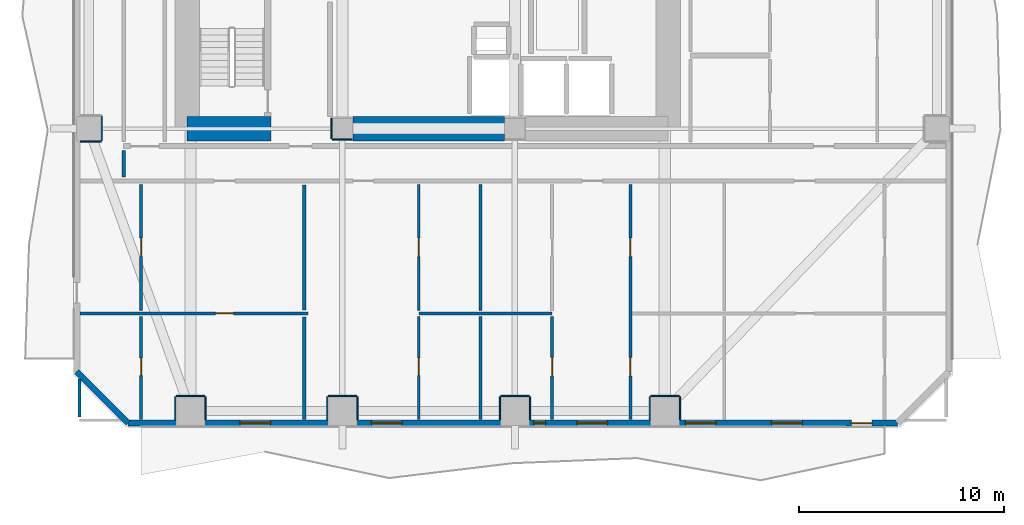
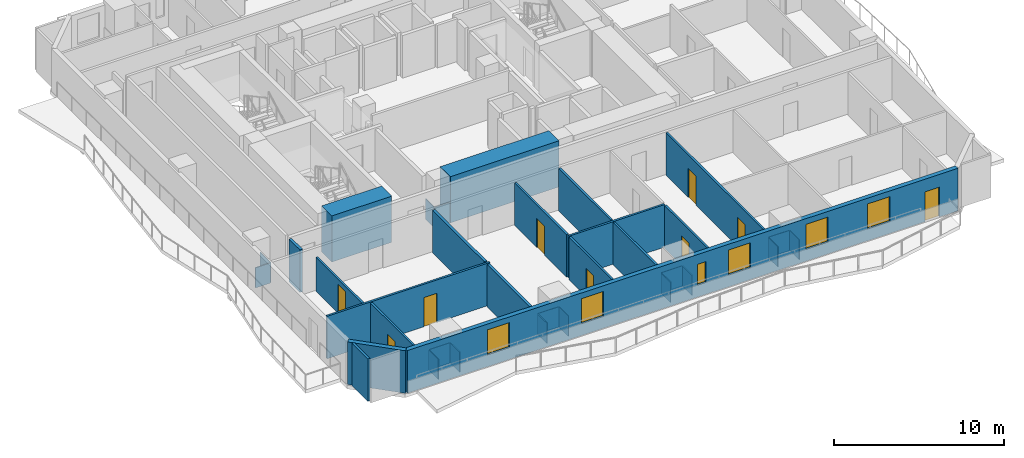
# One storey, part 2 of 10: 34 walls, 9 doors, 6 windows, 15 openings.
"""IFC4 building model written with IfcOpenShell, lengths in metres."""

import ifcopenshell
import ifcopenshell.guid

model = None  # the IFC model being written
_history = None  # IfcOwnerHistory: only IFC2X3 demands one
_inside = {}  # id of a spatial element -> (the spatial element, [elements in it])
_under = {}  # id of a project, library or spatial element -> (it, [spatial elements below it])
_declared = {}  # id of a project -> (the project, [libraries it declares])
_typed = {}  # id of a type object -> (the type object, [elements of that type])
_made_of = {}  # id of a material, layer set ... -> (it, [elements and type objects made of it])


def new_model(schema):
    """Start an empty IFC model of exactly this schema.

    Asked for "IFC4X3", IfcOpenShell would pick the latest addendum, in which some entities
    have other attributes; the version numbers below select the first issue.
    IFC2X3 requires an IfcOwnerHistory on every rooted entity: one is made here for all.
    """
    global model, _history
    if schema == "IFC4X3":
        model = ifcopenshell.file(schema_version=(4, 3, 0, 0))
    else:
        model = ifcopenshell.file(schema=schema)
    _inside.clear()
    _under.clear()
    _declared.clear()
    _typed.clear()
    _made_of.clear()
    _history = None
    if model.schema == "IFC2X3":
        org = make("IfcOrganization", Name="unknown")
        user = make(
            "IfcPersonAndOrganization",
            ThePerson=make("IfcPerson", FamilyName="unknown"),
            TheOrganization=org,
        )
        app = make(
            "IfcApplication",
            ApplicationDeveloper=org,
            Version="unknown",
            ApplicationFullName="unknown",
            ApplicationIdentifier="unknown",
        )
        _history = make(
            "IfcOwnerHistory",
            OwningUser=user,
            OwningApplication=app,
            ChangeAction="ADDED",
            CreationDate=0,
        )
    return model


def make(cls, **values):
    """One entity of the class cls with the attributes given. An attribute that is None is left unset."""
    return model.create_entity(
        cls, **{name: value for name, value in values.items() if value is not None}
    )


def rooted(cls, **values):
    """An entity with a GlobalId (a new one), such as an element, a storey or a relation."""
    return make(cls, GlobalId=ifcopenshell.guid.new(), OwnerHistory=_history, **values)


def si_unit(unit_type, name, prefix=None):
    """IfcSIUnit, for example si_unit("LENGTHUNIT", "METRE", prefix="MILLI")."""
    return make("IfcSIUnit", UnitType=unit_type, Prefix=prefix, Name=name)


def assignment(units):
    """IfcUnitAssignment: the units of a project."""
    return None if units is None else make("IfcUnitAssignment", Units=units)


def point(xyz):
    """IfcCartesianPoint."""
    return None if xyz is None else make("IfcCartesianPoint", Coordinates=xyz)


def direction(xyz):
    """IfcDirection."""
    return None if xyz is None else make("IfcDirection", DirectionRatios=xyz)


def frame(location, z_axis=None, x_axis=None):
    """IfcAxis2Placement3D, a coordinate frame: its origin and axes. An axis left out is left unset."""
    return make(
        "IfcAxis2Placement3D",
        Location=point(location),
        Axis=direction(z_axis),
        RefDirection=direction(x_axis),
    )


def frame_2d(location, x_axis=None):
    """IfcAxis2Placement2D, a coordinate frame in the plane: its origin and x axis."""
    return make(
        "IfcAxis2Placement2D", Location=point(location), RefDirection=direction(x_axis)
    )


def origin():
    """The frame at (0, 0, 0) with its axes left unset."""
    return frame((0.0, 0.0, 0.0))


def place(relative_to, where):
    """IfcLocalPlacement: puts the frame where relative to a parent placement (None: the world)."""
    return make(
        "IfcLocalPlacement", PlacementRelTo=relative_to, RelativePlacement=where
    )


def context(
    kind, dimensions, precision=None, world=None, true_north=None, identifier=None
):
    """IfcGeometricRepresentationContext, for example the 3D "Model" context."""
    return make(
        "IfcGeometricRepresentationContext",
        ContextIdentifier=identifier,
        ContextType=kind,
        CoordinateSpaceDimension=dimensions,
        Precision=precision,
        WorldCoordinateSystem=world,
        TrueNorth=true_north,
    )


def subcontext(parent, identifier, kind, view, scale=None):
    """IfcGeometricRepresentationSubContext, for example "Body" below "Model"."""
    return make(
        "IfcGeometricRepresentationSubContext",
        ContextIdentifier=identifier,
        ContextType=kind,
        ParentContext=parent,
        TargetScale=scale,
        TargetView=view,
    )


def project(units=None, contexts=None):
    """IfcProject with its units and contexts."""
    return rooted(
        "IfcProject",
        Name="project",
        RepresentationContexts=contexts,
        UnitsInContext=assignment(units),
    )


def spatial(cls, under=None, at=None, **own):
    """A site, building, storey or space (cls), placed at a placement, below another one or the project."""
    s = rooted(cls, ObjectPlacement=at, **own)
    if under is not None:
        _under.setdefault(under.id(), (under, []))[1].append(s)
    return s


def profile(cls, at=None, kind="AREA", **sizes):
    """A parametric profile (cls). Its sizes go by their IFC names, for example OverallWidth=200.0."""
    return make(cls, ProfileType=kind, Position=at, **sizes)


def rectangle(**sizes):
    """IfcRectangleProfileDef."""
    return profile("IfcRectangleProfileDef", **sizes)


def extrude(swept, where, along, depth):
    """IfcExtrudedAreaSolid: the profile swept, set in the frame where, extruded along a direction by depth."""
    return make(
        "IfcExtrudedAreaSolid",
        SweptArea=swept,
        Position=where,
        ExtrudedDirection=direction(along),
        Depth=depth,
    )


def shape(context_of_items, identifier, shape_type, items):
    """IfcShapeRepresentation: the items that make up one representation, for example the "Body"."""
    return make(
        "IfcShapeRepresentation",
        ContextOfItems=context_of_items,
        RepresentationIdentifier=identifier,
        RepresentationType=shape_type,
        Items=items,
    )


def material(Name=None, Category=None):
    """IfcMaterial."""
    return make("IfcMaterial", Name=Name, Category=Category)


def layer(
    of_material, thickness, ventilated=None, Name=None, Category=None, Priority=None
):
    """IfcMaterialLayer: one layer of a wall or slab, of a material (None: an air gap)."""
    return make(
        "IfcMaterialLayer",
        Material=of_material,
        LayerThickness=thickness,
        IsVentilated=ventilated,
        Name=Name,
        Category=Category,
        Priority=Priority,
    )


def layer_set(layers, Name=None):
    """IfcMaterialLayerSet."""
    return make("IfcMaterialLayerSet", MaterialLayers=layers, LayerSetName=Name)


def made_of(thing, what):
    """Note that an element or type object is made of a material, layer set ...; save() writes the relation."""
    if what is not None:
        _made_of.setdefault(what.id(), (what, []))[1].append(thing)
    return thing


def type_object(cls, material=None, **own):
    """A type object (cls), such as IfcWallType, which elements share."""
    return made_of(rooted(cls, **own), material)


def element(
    cls,
    number,
    at=None,
    inside=None,
    cuts=None,
    type_object=None,
    material=None,
    context=None,
    identifier="Body",
    shape_type=None,
    held_by="IfcProductDefinitionShape",
    body=None,
    shapes=None,
    **own,
):
    """One element of the class cls, such as IfcWall. Its Tag is "e" and its number.

    at: its placement. inside: the storey or other place that contains it. cuts: it is an
    opening in that element (IfcRelVoidsElement). A single representation is given by context,
    identifier, shape_type and body (its items); several are given by shapes. held_by: the class
    of the entity that holds the representations. save() writes the other relations.
    """
    e = rooted(cls, Tag="e%d" % number, ObjectPlacement=at, **own)
    if body is not None:
        shapes = [shape(context, identifier, shape_type, body)]
    if shapes is not None:
        e.Representation = make(held_by, Representations=shapes)
    if inside is not None:
        _inside.setdefault(inside.id(), (inside, []))[1].append(e)
    if cuts is not None:
        rooted(
            "IfcRelVoidsElement", RelatingBuildingElement=cuts, RelatedOpeningElement=e
        )
    if type_object is not None:
        _typed.setdefault(type_object.id(), (type_object, []))[1].append(e)
    return made_of(e, material)


def fill(opening, filler):
    """IfcRelFillsElement: the door or window that sits in an opening."""
    return rooted(
        "IfcRelFillsElement",
        RelatingOpeningElement=opening,
        RelatedBuildingElement=filler,
    )


def aggregate(whole, parts):
    """IfcRelAggregates: a whole, such as a stair, and the parts it consists of."""
    return rooted("IfcRelAggregates", RelatingObject=whole, RelatedObjects=parts)


def save(model, path):
    """Write the relations noted so far, then the file.

    IfcRelAggregates (storeys below a building ...), IfcRelContainedInSpatialStructure (elements
    in a storey), IfcRelDefinesByType, IfcRelAssociatesMaterial and IfcRelDeclares: one each for
    every whole, place, type object, material and project.
    """
    for whole, parts in _under.values():
        aggregate(whole, parts)
    for where, things in _inside.values():
        rooted(
            "IfcRelContainedInSpatialStructure",
            RelatedElements=things,
            RelatingStructure=where,
        )
    for kind, things in _typed.values():
        rooted("IfcRelDefinesByType", RelatedObjects=things, RelatingType=kind)
    for what, things in _made_of.values():
        rooted("IfcRelAssociatesMaterial", RelatedObjects=things, RelatingMaterial=what)
    for by, libraries in _declared.values():
        rooted("IfcRelDeclares", RelatingContext=by, RelatedDefinitions=libraries)
    model.write(path)


model = new_model("IFC4")

# Units and contexts
model_context = context("Model", 3, precision=1e-05, world=origin(), true_north=direction((0.0, 1.0)))
body_context = subcontext(model_context, "Body", "Model", "MODEL_VIEW")
ifc_project = project(units=[si_unit("LENGTHUNIT", "METRE"), si_unit("AREAUNIT", "SQUARE_METRE"), si_unit("VOLUMEUNIT", "CUBIC_METRE"), si_unit("PLANEANGLEUNIT", "RADIAN"), si_unit("MASSUNIT", "GRAM", prefix="KILO")], contexts=[model_context])

# Site, building, storey
site_placement = place(None, origin())
site = spatial("IfcSite", under=ifc_project, at=site_placement, CompositionType="ELEMENT")
building_placement = place(site_placement, origin())
building = spatial("IfcBuilding", under=site, at=building_placement, Name="Solanera Arch Residences", CompositionType="ELEMENT")
storey_placement = place(building_placement, frame((0.0, 0.0, 45.239990234375)))
storey = spatial("IfcBuildingStorey", under=building, at=storey_placement, Name="L12", CompositionType="ELEMENT", Elevation=45.239990234375)

# Walls
ifc_material_1 = material(Name="Fire-Rated Gypsum Stud Partition", Category="gypsum")
ifc_layer_1 = layer(ifc_material_1, 0.06005859375)
ifc_layer_set_1 = layer_set([ifc_layer_1], Name="Fire-Rated Gypsum Stud Partition")
wall_type_1 = type_object("IfcWallType", Name="Column Acoustic Furring Wall 60", PredefinedType="PARTITIONING", material=ifc_layer_set_1)
wall_1_placement = place(storey_placement, frame((20.300048828125, 21.468017578125, 0.0), z_axis=(0.0, 0.0, 1.0), x_axis=(1.0, 0.0, 0.0)))
element("IfcWall", 1, at=wall_1_placement, inside=storey, type_object=wall_type_1, Name="L12 Column Furring 1S", PredefinedType="PARTITIONING", context=body_context, shape_type="SweptSolid", body=[
    extrude(rectangle(XDim=0.989990234375, YDim=0.06005859375, at=frame_2d((0.4951171875, 0.0))), origin(), (0.0, 0.0, 1.0), 1.449951171875),
])
wall_2_placement = place(storey_placement, frame((20.26806640625, 21.5, 0.0), z_axis=(0.0, 0.0, 1.0), x_axis=(0.0, 1.0, 0.0)))
element("IfcWall", 2, at=wall_2_placement, inside=storey, type_object=wall_type_1, Name="L12 Column Furring 1W", PredefinedType="PARTITIONING", context=body_context, shape_type="SweptSolid", body=[
    extrude(rectangle(XDim=1.0, YDim=0.06005859375, at=frame_2d((0.5, 0.0))), origin(), (0.0, 0.0, 1.0), 1.449951171875),
])
wall_3_placement = place(storey_placement, frame((12.699951171875, 8.98193359375, 0.0), z_axis=(0.0, 0.0, 1.0), x_axis=(1.0, 0.0, 0.0)))
element("IfcWall", 3, at=wall_3_placement, inside=storey, type_object=wall_type_1, Name="L12 Column Furring 9N", PredefinedType="PARTITIONING", context=body_context, shape_type="SweptSolid", body=[
    extrude(rectangle(XDim=1.400146484375, YDim=0.06005859375, at=frame_2d((0.7001953125, 0.0))), origin(), (0.0, 0.0, 1.0), 1.449951171875),
])
for number, where, z_axis, x_axis, name in (
    (4, (12.66796875, 7.830078125, 0.0), (0.0, 0.0, 1.0), (0.0, 1.0, 0.0), "L12 Column Furring 9W"),
    (5, (14.132080078125, 7.830078125, 0.0), (0.0, 0.0, 1.0), (0.0, 1.0, 0.0), "L12 Column Furring 9E"),
):
    element("IfcWall", number, at=place(storey_placement, frame(where, z_axis=z_axis, x_axis=x_axis)), inside=storey, type_object=wall_type_1, Name=name, PredefinedType="PARTITIONING", context=body_context, shape_type="SweptSolid", body=[
        extrude(rectangle(XDim=1.119873046875, YDim=0.06005859375, at=frame_2d((0.56005859375, 0.0))), origin(), (0.0, 0.0, 1.0), 1.449951171875),
    ])
wall_4_placement = place(storey_placement, frame((20.10009765625, 8.98193359375, 0.0), z_axis=(0.0, 0.0, 1.0), x_axis=(1.0, 0.0, 0.0)))
element("IfcWall", 6, at=wall_4_placement, inside=storey, type_object=wall_type_1, Name="L12 Column Furring 11N", PredefinedType="PARTITIONING", context=body_context, shape_type="SweptSolid", body=[
    extrude(rectangle(XDim=1.39990234375, YDim=0.06005859375, at=frame_2d((0.699951171875, 0.0))), origin(), (0.0, 0.0, 1.0), 1.449951171875),
])
for number, where, z_axis, x_axis, name in (
    (7, (20.068115234375, 7.830078125, 0.0), (0.0, 0.0, 1.0), (0.0, 1.0, 0.0), "L12 Column Furring 11W"),
    (8, (21.531982421875, 7.830078125, 0.0), (0.0, 0.0, 1.0), (0.0, 1.0, 0.0), "L12 Column Furring 11E"),
):
    element("IfcWall", number, at=place(storey_placement, frame(where, z_axis=z_axis, x_axis=x_axis)), inside=storey, type_object=wall_type_1, Name=name, PredefinedType="PARTITIONING", context=body_context, shape_type="SweptSolid", body=[
        extrude(rectangle(XDim=1.119873046875, YDim=0.06005859375, at=frame_2d((0.56005859375, 0.0))), origin(), (0.0, 0.0, 1.0), 1.449951171875),
    ])
wall_5_placement = place(storey_placement, frame((28.5, 8.98193359375, 0.0), z_axis=(0.0, 0.0, 1.0), x_axis=(1.0, 0.0, 0.0)))
element("IfcWall", 9, at=wall_5_placement, inside=storey, type_object=wall_type_1, Name="L12 Column Furring 13N", PredefinedType="PARTITIONING", context=body_context, shape_type="SweptSolid", body=[
    extrude(rectangle(XDim=1.39990234375, YDim=0.06005859375, at=frame_2d((0.699951171875, 0.0))), origin(), (0.0, 0.0, 1.0), 1.449951171875),
])
for number, where, z_axis, x_axis, name in (
    (10, (28.468017578125, 7.830078125, 0.0), (0.0, 0.0, 1.0), (0.0, 1.0, 0.0), "L12 Column Furring 13W"),
    (11, (29.931884765625, 7.830078125, 0.0), (0.0, 0.0, 1.0), (0.0, 1.0, 0.0), "L12 Column Furring 13E"),
):
    element("IfcWall", number, at=place(storey_placement, frame(where, z_axis=z_axis, x_axis=x_axis)), inside=storey, type_object=wall_type_1, Name=name, PredefinedType="PARTITIONING", context=body_context, shape_type="SweptSolid", body=[
        extrude(rectangle(XDim=1.119873046875, YDim=0.06005859375, at=frame_2d((0.56005859375, 0.0))), origin(), (0.0, 0.0, 1.0), 1.449951171875),
    ])
wall_6_placement = place(storey_placement, frame((35.800048828125, 8.98193359375, 0.0), z_axis=(0.0, 0.0, 1.0), x_axis=(1.0, 0.0, 0.0)))
element("IfcWall", 12, at=wall_6_placement, inside=storey, type_object=wall_type_1, Name="L12 Column Furring 15N", PredefinedType="PARTITIONING", context=body_context, shape_type="SweptSolid", body=[
    extrude(rectangle(XDim=1.39990234375, YDim=0.06005859375, at=frame_2d((0.699951171875, 0.0))), origin(), (0.0, 0.0, 1.0), 1.449951171875),
])
for number, where, z_axis, x_axis, name in (
    (13, (35.76806640625, 7.830078125, 0.0), (0.0, 0.0, 1.0), (0.0, 1.0, 0.0), "L12 Column Furring 15W"),
    (14, (37.23193359375, 7.830078125, 0.0), (0.0, 0.0, 1.0), (0.0, 1.0, 0.0), "L12 Column Furring 15E"),
):
    element("IfcWall", number, at=place(storey_placement, frame(where, z_axis=z_axis, x_axis=x_axis)), inside=storey, type_object=wall_type_1, Name=name, PredefinedType="PARTITIONING", context=body_context, shape_type="SweptSolid", body=[
        extrude(rectangle(XDim=1.119873046875, YDim=0.06005859375, at=frame_2d((0.56005859375, 0.0))), origin(), (0.0, 0.0, 1.0), 1.449951171875),
    ])
wall_7_placement = place(storey_placement, frame((8.030029296875, 21.367919921875, 0.0), z_axis=(0.0, 0.0, 1.0), x_axis=(1.0, 0.0, 0.0)))
element("IfcWall", 15, at=wall_7_placement, inside=storey, type_object=wall_type_1, Name="L12 Column Furring 17S", PredefinedType="PARTITIONING", context=body_context, shape_type="SweptSolid", body=[
    extrude(rectangle(XDim=1.02001953125, YDim=0.06005859375, at=frame_2d((0.510009765625, 0.0))), origin(), (0.0, 0.0, 1.0), 1.449951171875),
])
wall_8_placement = place(storey_placement, frame((9.08203125, 21.39990234375, 0.0), z_axis=(0.0, 0.0, 1.0), x_axis=(0.0, 1.0, 0.0)))
element("IfcWall", 16, at=wall_8_placement, inside=storey, type_object=wall_type_1, Name="L12 Column Furring 17E", PredefinedType="PARTITIONING", context=body_context, shape_type="SweptSolid", body=[
    extrude(rectangle(XDim=1.2001953125, YDim=0.06005859375, at=frame_2d((0.60009765625, 0.0))), origin(), (0.0, 0.0, 1.0), 1.449951171875),
])
ifc_material_2 = material(Name="Concrete C55/67 (f'c = 60 MPa)", Category="concrete")
ifc_layer_2 = layer(ifc_material_2, 1.199951171875)
ifc_layer_set_2 = layer_set([ifc_layer_2], Name="Concrete C55/67 (f'c = 60 MPa)")
wall_type_2 = type_object("IfcWallType", Name="Core Shear Wall CW-1200", PredefinedType="SHEAR", material=ifc_layer_set_2)
wall_9_placement = place(storey_placement, frame((13.239990234375, 22.0, 0.0), z_axis=(0.0, 0.0, 1.0), x_axis=(1.0, 0.0, 0.0)))
element("IfcWall", 17, at=wall_9_placement, inside=storey, type_object=wall_type_2, Name="L12 South-West Core Shear Wall", PredefinedType="SHEAR", context=body_context, shape_type="SweptSolid", body=[
    extrude(rectangle(XDim=4.080078125, YDim=1.199951171875, at=frame_2d((2.0400390625, 0.0))), origin(), (0.0, 0.0, 1.0), 3.320068359375),
])
wall_10_placement = place(storey_placement, frame((21.304931640625, 22.0, 0.0), z_axis=(0.0, 0.0, 1.0), x_axis=(1.0, 0.0, 0.0)))
element("IfcWall", 18, at=wall_10_placement, inside=storey, type_object=wall_type_2, Name="L12 Central South Core Shear Wall", PredefinedType="SHEAR", context=body_context, shape_type="SweptSolid", body=[
    extrude(rectangle(XDim=7.39013671875, YDim=1.199951171875, at=frame_2d((3.695068359375, 0.0))), origin(), (0.0, 0.0, 1.0), 3.320068359375),
])
ifc_material_3 = material(Name="Autoclaved Aerated Concrete Blockwork", Category="masonry")
ifc_layer_3 = layer(ifc_material_3, 0.179931640625)
ifc_layer_set_3 = layer_set([ifc_layer_3], Name="Autoclaved Aerated Concrete Blockwork")
wall_type_3 = type_object("IfcWallType", Name="Corridor Fire Partition 180", PredefinedType="PARTITIONING", material=ifc_layer_set_3)
wall_11_placement = place(storey_placement, frame((10.14990234375, 19.637939453125, 0.0), z_axis=(0.0, 0.0, 1.0), x_axis=(0.0, 1.0, 0.0)))
element("IfcWall", 19, at=wall_11_placement, inside=storey, type_object=wall_type_3, Name="L12 Interior Partition V6 1", PredefinedType="PARTITIONING", context=body_context, shape_type="SweptSolid", body=[
    extrude(rectangle(XDim=1.2939453125, YDim=0.179931640625, at=frame_2d((0.64697265625, 0.0))), origin(), (0.0, 0.0, 1.0), 3.06005859375),
])
wall_12_placement = place(storey_placement, frame((18.949951171875, 7.826904296875, 0.0), z_axis=(0.0, 0.0, 1.0), x_axis=(0.0, 1.0, 0.0)))
element("IfcWall", 20, at=wall_12_placement, inside=storey, type_object=wall_type_3, Name="L12 Interior Partition V8 1", PredefinedType="PARTITIONING", context=body_context, shape_type="SweptSolid", body=[
    extrude(rectangle(XDim=5.005126953125, YDim=0.179931640625, at=frame_2d((2.50244140625, 0.0))), origin(), (0.0, 0.0, 1.0), 3.06005859375),
])
wall_13_placement = place(storey_placement, frame((18.949951171875, 13.16796875, 0.0), z_axis=(0.0, 0.0, 1.0), x_axis=(0.0, 1.0, 0.0)))
element("IfcWall", 21, at=wall_13_placement, inside=storey, type_object=wall_type_3, Name="L12 Interior Partition V8 2", PredefinedType="PARTITIONING", context=body_context, shape_type="SweptSolid", body=[
    extrude(rectangle(XDim=6.093994140625, YDim=0.179931640625, at=frame_2d((3.046875, 0.0))), origin(), (0.0, 0.0, 1.0), 3.06005859375),
])

# Wall, openings, door, windows
ifc_material_4 = material(Name="Precast Concrete C35/45", Category="concrete")
ifc_layer_4 = layer(ifc_material_4, 0.300048828125)
ifc_layer_set_4 = layer_set([ifc_layer_4], Name="Precast Concrete C35/45")
wall_type_4 = type_object("IfcWallType", Name="Exterior Wall Precast Masonry-Frame 300", PredefinedType="STANDARD", material=ifc_layer_set_4)
wall_14_placement = place(storey_placement, frame((47.8349609375, 7.6650390625, 0.0), z_axis=(0.0, 0.0, 1.0), x_axis=(-1.0, 0.0, 0.0)))
wall_14 = element("IfcWall", 22, at=wall_14_placement, inside=storey, type_object=wall_type_4, Name="L12 Tower Exterior Precast Masonry-Frame Wall S", PredefinedType="STANDARD", context=body_context, shape_type="SweptSolid", body=[
    extrude(rectangle(XDim=37.469970703125, YDim=0.300048828125, at=frame_2d((18.73486328125, 0.0))), origin(), (0.0, 0.0, 1.0), 3.06005859375),
])
opening_1_placement = place(wall_14_placement, frame((1.2509765625, 0.0, 0.0)))
opening_1 = element("IfcOpeningElement", 23, at=opening_1_placement, cuts=wall_14, Name="Opening DB-01", PredefinedType="OPENING", context=body_context, shape_type="SweptSolid", body=[
    extrude(rectangle(XDim=1.0, YDim=2.14990234375, at=frame_2d((0.5, 1.074951171875))), frame((0.0, 0.159912109375, 0.0), z_axis=(0.0, -1.0, 0.0), x_axis=(1.0, 0.0, 0.0)), (0.0, 0.0, 1.0), 0.32),
])
opening_2_placement = place(wall_14_placement, frame((30.52490234375, 0.0, 0.85009765625)))
opening_2 = element("IfcOpeningElement", 24, at=opening_2_placement, cuts=wall_14, Name="Opening W-02", PredefinedType="OPENING", context=body_context, shape_type="SweptSolid", body=[
    extrude(rectangle(XDim=1.5, YDim=1.800048828125, at=frame_2d((0.75, 0.89990234375))), frame((0.0, 0.159912109375, 0.0), z_axis=(0.0, -1.0, 0.0), x_axis=(1.0, 0.0, 0.0)), (0.0, 0.0, 1.0), 0.32),
])
opening_3_placement = place(wall_14_placement, frame((24.125, 0.0, 0.85009765625)))
opening_3 = element("IfcOpeningElement", 25, at=opening_3_placement, cuts=wall_14, Name="Opening W-02", PredefinedType="OPENING", context=body_context, shape_type="SweptSolid", body=[
    extrude(rectangle(XDim=1.5, YDim=1.800048828125, at=frame_2d((0.75, 0.89990234375))), frame((0.0, 0.159912109375, 0.0), z_axis=(0.0, -1.0, 0.0), x_axis=(1.0, 0.0, 0.0)), (0.0, 0.0, 1.0), 0.32),
])
opening_4_placement = place(wall_14_placement, frame((14.118896484375, 0.0, 0.85009765625)))
opening_4 = element("IfcOpeningElement", 26, at=opening_4_placement, cuts=wall_14, Name="Opening W-02", PredefinedType="OPENING", context=body_context, shape_type="SweptSolid", body=[
    extrude(rectangle(XDim=1.5, YDim=1.800048828125, at=frame_2d((0.75, 0.89990234375))), frame((0.0, 0.159912109375, 0.0), z_axis=(0.0, -1.0, 0.0), x_axis=(1.0, 0.0, 0.0)), (0.0, 0.0, 1.0), 0.32),
])
opening_5_placement = place(wall_14_placement, frame((17.138916015625, 0.0, 0.85009765625)))
opening_5 = element("IfcOpeningElement", 27, at=opening_5_placement, cuts=wall_14, Name="Opening W-14", PredefinedType="OPENING", context=body_context, shape_type="SweptSolid", body=[
    extrude(rectangle(XDim=0.580078125, YDim=1.5, at=frame_2d((0.2900390625, 0.75))), frame((0.0, 0.159912109375, 0.0), z_axis=(0.0, -1.0, 0.0), x_axis=(1.0, 0.0, 0.0)), (0.0, 0.0, 1.0), 0.32),
])
opening_6_placement = place(wall_14_placement, frame((8.8369140625, 0.0, 0.85009765625)))
opening_6 = element("IfcOpeningElement", 28, at=opening_6_placement, cuts=wall_14, Name="Opening W-02", PredefinedType="OPENING", context=body_context, shape_type="SweptSolid", body=[
    extrude(rectangle(XDim=1.5, YDim=1.800048828125, at=frame_2d((0.75, 0.89990234375))), frame((0.0, 0.159912109375, 0.0), z_axis=(0.0, -1.0, 0.0), x_axis=(1.0, 0.0, 0.0)), (0.0, 0.0, 1.0), 0.32),
])
opening_7_placement = place(wall_14_placement, frame((4.64501953125, 0.0, 0.85009765625)))
opening_7 = element("IfcOpeningElement", 29, at=opening_7_placement, cuts=wall_14, Name="Opening W-02", PredefinedType="OPENING", context=body_context, shape_type="SweptSolid", body=[
    extrude(rectangle(XDim=1.5, YDim=1.800048828125, at=frame_2d((0.75, 0.89990234375))), frame((0.0, 0.159912109375, 0.0), z_axis=(0.0, -1.0, 0.0), x_axis=(1.0, 0.0, 0.0)), (0.0, 0.0, 1.0), 0.32),
])
ifc_material_5 = material(Name="Anodised Aluminium Alloy 6063-T6", Category="aluminium")
door_type_1 = type_object("IfcDoorType", Name="Glazed Balcony Swing Door DB-01", OperationType="NOTDEFINED", PredefinedType="DOOR", material=ifc_material_5)
door_1_placement = place(opening_1_placement, origin())
door_1 = element("IfcDoor", 30, at=door_1_placement, inside=storey, type_object=door_type_1, Name="DR-L12-OUT-01", OperationType="SINGLE_SWING_RIGHT", OverallHeight=2.14990234375, OverallWidth=1.0, PredefinedType="DOOR", context=body_context, shape_type="SweptSolid", body=[
    extrude(rectangle(XDim=1.0, YDim=2.14990234375, at=frame_2d((0.5, 1.074951171875))), frame((0.0, 0.02490234375, 0.0), z_axis=(0.0, -1.0, 0.0), x_axis=(1.0, 0.0, 0.0)), (0.0, 0.0, 1.0), 0.050048828125),
])
fill(opening_1, door_1)
ifc_material_6 = material(Name="Double Glazed Low-E Laminated Glass", Category="glass")
window_type_1 = type_object("IfcWindowType", Name="Punched Window W-02", PartitioningType="DOUBLE_PANEL_VERTICAL", PredefinedType="WINDOW", material=ifc_material_6)
window_1_placement = place(opening_2_placement, origin())
window_1 = element("IfcWindow", 31, at=window_1_placement, inside=storey, type_object=window_type_1, Name="L12 1201-LIV Punched Window", OverallHeight=1.800048828125, OverallWidth=1.5, PartitioningType="SINGLE_PANEL", PredefinedType="WINDOW", context=body_context, shape_type="SweptSolid", body=[
    extrude(rectangle(XDim=1.5, YDim=1.800048828125, at=frame_2d((0.75, 0.89990234375))), frame((0.0, 0.030029296875, 0.0), z_axis=(0.0, -1.0, 0.0), x_axis=(1.0, 0.0, 0.0)), (0.0, 0.0, 1.0), 0.06005859375),
])
fill(opening_2, window_1)
window_2_placement = place(opening_3_placement, origin())
window_2 = element("IfcWindow", 32, at=window_2_placement, inside=storey, type_object=window_type_1, Name="L12 1202-LIV Punched Window", OverallHeight=1.800048828125, OverallWidth=1.5, PartitioningType="SINGLE_PANEL", PredefinedType="WINDOW", context=body_context, shape_type="SweptSolid", body=[
    extrude(rectangle(XDim=1.5, YDim=1.800048828125, at=frame_2d((0.75, 0.89990234375))), frame((0.0, 0.030029296875, 0.0), z_axis=(0.0, -1.0, 0.0), x_axis=(1.0, 0.0, 0.0)), (0.0, 0.0, 1.0), 0.06005859375),
])
fill(opening_3, window_2)
window_3_placement = place(opening_4_placement, origin())
window_3 = element("IfcWindow", 33, at=window_3_placement, inside=storey, type_object=window_type_1, Name="L12 1203-LIV Punched Window", OverallHeight=1.800048828125, OverallWidth=1.5, PartitioningType="SINGLE_PANEL", PredefinedType="WINDOW", context=body_context, shape_type="SweptSolid", body=[
    extrude(rectangle(XDim=1.5, YDim=1.800048828125, at=frame_2d((0.75, 0.89990234375))), frame((0.0, 0.030029296875, 0.0), z_axis=(0.0, -1.0, 0.0), x_axis=(1.0, 0.0, 0.0)), (0.0, 0.0, 1.0), 0.06005859375),
])
fill(opening_4, window_3)
window_4_placement = place(opening_6_placement, origin())
window_4 = element("IfcWindow", 34, at=window_4_placement, inside=storey, type_object=window_type_1, Name="L12 1203-STD Punched Window", OverallHeight=1.800048828125, OverallWidth=1.5, PartitioningType="SINGLE_PANEL", PredefinedType="WINDOW", context=body_context, shape_type="SweptSolid", body=[
    extrude(rectangle(XDim=1.5, YDim=1.800048828125, at=frame_2d((0.75, 0.89990234375))), frame((0.0, 0.030029296875, 0.0), z_axis=(0.0, -1.0, 0.0), x_axis=(1.0, 0.0, 0.0)), (0.0, 0.0, 1.0), 0.06005859375),
])
fill(opening_6, window_4)
window_5_placement = place(opening_7_placement, origin())
window_5 = element("IfcWindow", 35, at=window_5_placement, inside=storey, type_object=window_type_1, Name="L12 1204-LIV Punched Window", OverallHeight=1.800048828125, OverallWidth=1.5, PartitioningType="SINGLE_PANEL", PredefinedType="WINDOW", context=body_context, shape_type="SweptSolid", body=[
    extrude(rectangle(XDim=1.5, YDim=1.800048828125, at=frame_2d((0.75, 0.89990234375))), frame((0.0, 0.030029296875, 0.0), z_axis=(0.0, -1.0, 0.0), x_axis=(1.0, 0.0, 0.0)), (0.0, 0.0, 1.0), 0.06005859375),
])
fill(opening_7, window_5)
ifc_material_7 = material(Name="Double Glazed Low-E Laminated Glass", Category="glass")
window_type_2 = type_object("IfcWindowType", Name="Punched Window W-14", PartitioningType="SINGLE_PANEL", PredefinedType="WINDOW", material=ifc_material_7)
window_6_placement = place(opening_5_placement, origin())
window_6 = element("IfcWindow", 36, at=window_6_placement, inside=storey, type_object=window_type_2, Name="L12 1203-BR1 Punched Window", OverallHeight=1.5, OverallWidth=0.580078125, PartitioningType="SINGLE_PANEL", PredefinedType="WINDOW", context=body_context, shape_type="SweptSolid", body=[
    extrude(rectangle(XDim=0.580078125, YDim=1.5, at=frame_2d((0.2900390625, 0.75))), frame((0.0, 0.030029296875, 0.0), z_axis=(0.0, -1.0, 0.0), x_axis=(1.0, 0.0, 0.0)), (0.0, 0.0, 1.0), 0.06005859375),
])
fill(opening_5, window_6)

# Wall
wall_15_placement = place(storey_placement, frame((10.364990234375, 7.6650390625, 0.0), z_axis=(0.0, 0.0, 1.0), x_axis=(-0.707106781187, 0.707106781187, 0.0)))
element("IfcWall", 37, at=wall_15_placement, inside=storey, type_object=wall_type_4, Name="L12 Tower Exterior Precast Masonry-Frame Wall CH7", PredefinedType="STANDARD", context=body_context, shape_type="SweptSolid", body=[
    extrude(rectangle(XDim=3.53564453125, YDim=0.300048828125, at=frame_2d((1.767822265625, 0.0))), origin(), (0.0, 0.0, 1.0), 3.06005859375),
])

# Wall, opening, door
ifc_material_8 = material(Name="Autoclaved Aerated Concrete Blockwork", Category="masonry")
ifc_layer_5 = layer(ifc_material_8, 0.139892578125)
ifc_layer_set_5 = layer_set([ifc_layer_5], Name="Autoclaved Aerated Concrete Blockwork")
wall_type_5 = type_object("IfcWallType", Name="Wet-Room Partition 140", PredefinedType="PARTITIONING", material=ifc_layer_set_5)
wall_16_placement = place(storey_placement, frame((8.027099609375, 13.0, 0.0), z_axis=(0.0, 0.0, 1.0), x_axis=(1.0, 0.0, 0.0)))
wall_16 = element("IfcWall", 38, at=wall_16_placement, inside=storey, type_object=wall_type_5, Name="L12 Interior Partition H15", PredefinedType="PARTITIONING", context=body_context, shape_type="SweptSolid", body=[
    extrude(rectangle(XDim=11.093017578125, YDim=0.139892578125, at=frame_2d((5.54638671875, 0.0))), origin(), (0.0, 0.0, 1.0), 3.06005859375),
])
opening_8_placement = place(wall_16_placement, frame((6.5830078125, 0.0, 0.0)))
opening_8 = element("IfcOpeningElement", 39, at=opening_8_placement, cuts=wall_16, Name="Opening DI-02", PredefinedType="OPENING", context=body_context, shape_type="SweptSolid", body=[
    extrude(rectangle(XDim=0.89990234375, YDim=2.10009765625, at=frame_2d((0.449951171875, 1.050048828125))), frame((0.0, 0.079833984375, 0.0), z_axis=(0.0, -1.0, 0.0), x_axis=(1.0, 0.0, 0.0)), (0.0, 0.0, 1.0), 0.1599),
])
ifc_material_9 = material(Name="Fire-Rated Architectural Hardwood", Category="wood")
door_type_2 = type_object("IfcDoorType", Name="Suite Room Swing Door DI-02", OperationType="NOTDEFINED", PredefinedType="DOOR", material=ifc_material_9)
door_2_placement = place(opening_8_placement, origin())
door_2 = element("IfcDoor", 40, at=door_2_placement, inside=storey, type_object=door_type_2, Name="DR-L12-IN-014", OperationType="SINGLE_SWING_LEFT", OverallHeight=2.10009765625, OverallWidth=0.89990234375, PredefinedType="DOOR", context=body_context, shape_type="SweptSolid", body=[
    extrude(rectangle(XDim=0.89990234375, YDim=2.10009765625, at=frame_2d((0.449951171875, 1.050048828125))), frame((0.0, 0.02490234375, 0.0), z_axis=(0.0, -1.0, 0.0), x_axis=(1.0, 0.0, 0.0)), (0.0, 0.0, 1.0), 0.050048828125),
])
fill(opening_8, door_2)

# Walls
wall_17_placement = place(storey_placement, frame((24.52001953125, 13.0, 0.0), z_axis=(0.0, 0.0, 1.0), x_axis=(1.0, 0.0, 0.0)))
element("IfcWall", 41, at=wall_17_placement, inside=storey, type_object=wall_type_5, Name="L12 Interior Partition H16", PredefinedType="PARTITIONING", context=body_context, shape_type="SweptSolid", body=[
    extrude(rectangle(XDim=6.491943359375, YDim=0.139892578125, at=frame_2d((3.24609375, 0.0))), origin(), (0.0, 0.0, 1.0), 3.06005859375),
])
wall_18_placement = place(storey_placement, frame((8.0, 7.947998046875, 0.0), z_axis=(0.0, 0.0, 1.0), x_axis=(0.0, 1.0, 0.0)))
element("IfcWall", 42, at=wall_18_placement, inside=storey, type_object=wall_type_5, Name="L12 Interior Partition V12", PredefinedType="PARTITIONING", context=body_context, shape_type="SweptSolid", body=[
    extrude(rectangle(XDim=1.85302734375, YDim=0.139892578125, at=frame_2d((0.926513671875, 0.0))), origin(), (0.0, 0.0, 1.0), 3.06005859375),
])

# Wall, opening, door
wall_19_placement = place(storey_placement, frame((11.0, 7.826904296875, 0.0), z_axis=(0.0, 0.0, 1.0), x_axis=(0.0, 1.0, 0.0)))
wall_19 = element("IfcWall", 43, at=wall_19_placement, inside=storey, type_object=wall_type_5, Name="L12 Interior Partition V14 1", PredefinedType="PARTITIONING", context=body_context, shape_type="SweptSolid", body=[
    extrude(rectangle(XDim=5.025146484375, YDim=0.139892578125, at=frame_2d((2.5126953125, 0.0))), origin(), (0.0, 0.0, 1.0), 3.06005859375),
])
opening_9_placement = place(wall_19_placement, frame((2.14306640625, 0.0, 0.0)))
opening_9 = element("IfcOpeningElement", 44, at=opening_9_placement, cuts=wall_19, Name="Opening DI-05", PredefinedType="OPENING", context=body_context, shape_type="SweptSolid", body=[
    extrude(rectangle(XDim=0.860107421875, YDim=2.02001953125, at=frame_2d((0.43017578125, 1.010009765625))), frame((0.0, 0.079833984375, 0.0), z_axis=(0.0, -1.0, 0.0), x_axis=(1.0, 0.0, 0.0)), (0.0, 0.0, 1.0), 0.1599),
])
ifc_material_10 = material(Name="Fire-Rated Architectural Hardwood", Category="wood")
door_type_3 = type_object("IfcDoorType", Name="Bathroom Swing Door DI-05", OperationType="NOTDEFINED", PredefinedType="DOOR", material=ifc_material_10)
door_3_placement = place(opening_9_placement, origin())
door_3 = element("IfcDoor", 45, at=door_3_placement, inside=storey, type_object=door_type_3, Name="DR-L12-IN-016", OperationType="SINGLE_SWING_LEFT", OverallHeight=2.02001953125, OverallWidth=0.860107421875, PredefinedType="DOOR", context=body_context, shape_type="SweptSolid", body=[
    extrude(rectangle(XDim=0.860107421875, YDim=2.02001953125, at=frame_2d((0.43017578125, 1.010009765625))), frame((0.0, 0.02490234375, 0.0), z_axis=(0.0, -1.0, 0.0), x_axis=(1.0, 0.0, 0.0)), (0.0, 0.0, 1.0), 0.050048828125),
])
fill(opening_9, door_3)

wall_20_placement = place(storey_placement, frame((11.0, 13.14794921875, 0.0), z_axis=(0.0, 0.0, 1.0), x_axis=(0.0, 1.0, 0.0)))
wall_20 = element("IfcWall", 46, at=wall_20_placement, inside=storey, type_object=wall_type_5, Name="L12 Interior Partition V14 2", PredefinedType="PARTITIONING", context=body_context, shape_type="SweptSolid", body=[
    extrude(rectangle(XDim=6.134033203125, YDim=0.139892578125, at=frame_2d((3.06689453125, 0.0))), origin(), (0.0, 0.0, 1.0), 2.445068359375),
])
opening_10_placement = place(wall_20_placement, frame((2.626953125, 0.0, 0.0)))
opening_10 = element("IfcOpeningElement", 47, at=opening_10_placement, cuts=wall_20, Name="Opening DI-02", PredefinedType="OPENING", context=body_context, shape_type="SweptSolid", body=[
    extrude(rectangle(XDim=0.89990234375, YDim=2.10009765625, at=frame_2d((0.449951171875, 1.050048828125))), frame((0.0, 0.079833984375, 0.0), z_axis=(0.0, -1.0, 0.0), x_axis=(1.0, 0.0, 0.0)), (0.0, 0.0, 1.0), 0.1599),
])
door_4_placement = place(opening_10_placement, origin())
door_4 = element("IfcDoor", 48, at=door_4_placement, inside=storey, type_object=door_type_2, Name="DR-L12-IN-015", OperationType="SINGLE_SWING_RIGHT", OverallHeight=2.10009765625, OverallWidth=0.89990234375, PredefinedType="DOOR", context=body_context, shape_type="SweptSolid", body=[
    extrude(rectangle(XDim=0.89990234375, YDim=2.10009765625, at=frame_2d((0.449951171875, 1.050048828125))), frame((0.0, 0.02490234375, 0.0), z_axis=(0.0, -1.0, 0.0), x_axis=(1.0, 0.0, 0.0)), (0.0, 0.0, 1.0), 0.050048828125),
])
fill(opening_10, door_4)

wall_21_placement = place(storey_placement, frame((24.52001953125, 7.826904296875, 0.0), z_axis=(0.0, 0.0, 1.0), x_axis=(0.0, 1.0, 0.0)))
wall_21 = element("IfcWall", 49, at=wall_21_placement, inside=storey, type_object=wall_type_5, Name="L12 Interior Partition V16 1", PredefinedType="PARTITIONING", context=body_context, shape_type="SweptSolid", body=[
    extrude(rectangle(XDim=5.025146484375, YDim=0.139892578125, at=frame_2d((2.5126953125, 0.0))), origin(), (0.0, 0.0, 1.0), 3.06005859375),
])
opening_11_placement = place(wall_21_placement, frame((2.156005859375, 0.0, 0.0)))
opening_11 = element("IfcOpeningElement", 50, at=opening_11_placement, cuts=wall_21, Name="Opening DI-05", PredefinedType="OPENING", context=body_context, shape_type="SweptSolid", body=[
    extrude(rectangle(XDim=0.860107421875, YDim=2.02001953125, at=frame_2d((0.43017578125, 1.010009765625))), frame((0.0, 0.079833984375, 0.0), z_axis=(0.0, -1.0, 0.0), x_axis=(1.0, 0.0, 0.0)), (0.0, 0.0, 1.0), 0.1599),
])
door_5_placement = place(opening_11_placement, origin())
door_5 = element("IfcDoor", 51, at=door_5_placement, inside=storey, type_object=door_type_3, Name="DR-L12-IN-019", OperationType="SINGLE_SWING_RIGHT", OverallHeight=2.02001953125, OverallWidth=0.860107421875, PredefinedType="DOOR", context=body_context, shape_type="SweptSolid", body=[
    extrude(rectangle(XDim=0.860107421875, YDim=2.02001953125, at=frame_2d((0.43017578125, 1.010009765625))), frame((0.0, 0.02490234375, 0.0), z_axis=(0.0, -1.0, 0.0), x_axis=(1.0, 0.0, 0.0)), (0.0, 0.0, 1.0), 0.050048828125),
])
fill(opening_11, door_5)

wall_22_placement = place(storey_placement, frame((24.52001953125, 13.14794921875, 0.0), z_axis=(0.0, 0.0, 1.0), x_axis=(0.0, 1.0, 0.0)))
wall_22 = element("IfcWall", 52, at=wall_22_placement, inside=storey, type_object=wall_type_5, Name="L12 Interior Partition V16 2", PredefinedType="PARTITIONING", context=body_context, shape_type="SweptSolid", body=[
    extrude(rectangle(XDim=6.134033203125, YDim=0.139892578125, at=frame_2d((3.06689453125, 0.0))), origin(), (0.0, 0.0, 1.0), 3.06005859375),
])
opening_12_placement = place(wall_22_placement, frame((2.614013671875, 0.0, 0.0)))
opening_12 = element("IfcOpeningElement", 53, at=opening_12_placement, cuts=wall_22, Name="Opening DI-02", PredefinedType="OPENING", context=body_context, shape_type="SweptSolid", body=[
    extrude(rectangle(XDim=0.89990234375, YDim=2.10009765625, at=frame_2d((0.449951171875, 1.050048828125))), frame((0.0, 0.079833984375, 0.0), z_axis=(0.0, -1.0, 0.0), x_axis=(1.0, 0.0, 0.0)), (0.0, 0.0, 1.0), 0.1599),
])
door_6_placement = place(opening_12_placement, origin())
door_6 = element("IfcDoor", 54, at=door_6_placement, inside=storey, type_object=door_type_2, Name="DR-L12-IN-018", OperationType="SINGLE_SWING_LEFT", OverallHeight=2.10009765625, OverallWidth=0.89990234375, PredefinedType="DOOR", context=body_context, shape_type="SweptSolid", body=[
    extrude(rectangle(XDim=0.89990234375, YDim=2.10009765625, at=frame_2d((0.449951171875, 1.050048828125))), frame((0.0, 0.02490234375, 0.0), z_axis=(0.0, -1.0, 0.0), x_axis=(1.0, 0.0, 0.0)), (0.0, 0.0, 1.0), 0.050048828125),
])
fill(opening_12, door_6)

# Walls
wall_23_placement = place(storey_placement, frame((27.52001953125, 7.826904296875, 0.0), z_axis=(0.0, 0.0, 1.0), x_axis=(0.0, 1.0, 0.0)))
element("IfcWall", 55, at=wall_23_placement, inside=storey, type_object=wall_type_5, Name="L12 Interior Partition V17 1", PredefinedType="PARTITIONING", context=body_context, shape_type="SweptSolid", body=[
    extrude(rectangle(XDim=5.025146484375, YDim=0.139892578125, at=frame_2d((2.5126953125, 0.0))), origin(), (0.0, 0.0, 1.0), 3.06005859375),
])
wall_24_placement = place(storey_placement, frame((27.52001953125, 13.14794921875, 0.0), z_axis=(0.0, 0.0, 1.0), x_axis=(0.0, 1.0, 0.0)))
element("IfcWall", 56, at=wall_24_placement, inside=storey, type_object=wall_type_5, Name="L12 Interior Partition V17 2", PredefinedType="PARTITIONING", context=body_context, shape_type="SweptSolid", body=[
    extrude(rectangle(XDim=6.134033203125, YDim=0.139892578125, at=frame_2d((3.06689453125, 0.0))), origin(), (0.0, 0.0, 1.0), 3.06005859375),
])

# Wall, opening, door
wall_25_placement = place(storey_placement, frame((31.011962890625, 7.826904296875, 0.0), z_axis=(0.0, 0.0, 1.0), x_axis=(0.0, 1.0, 0.0)))
wall_25 = element("IfcWall", 57, at=wall_25_placement, inside=storey, type_object=wall_type_5, Name="L12 Interior Partition V18 1", PredefinedType="PARTITIONING", context=body_context, shape_type="SweptSolid", body=[
    extrude(rectangle(XDim=5.025146484375, YDim=0.139892578125, at=frame_2d((2.5126953125, 0.0))), origin(), (0.0, 0.0, 1.0), 3.06005859375),
])
opening_13_placement = place(wall_25_placement, frame((2.135986328125, 0.0, 0.0)))
opening_13 = element("IfcOpeningElement", 58, at=opening_13_placement, cuts=wall_25, Name="Opening DI-03", PredefinedType="OPENING", context=body_context, shape_type="SweptSolid", body=[
    extrude(rectangle(XDim=0.89990234375, YDim=2.10009765625, at=frame_2d((0.449951171875, 1.050048828125))), frame((0.0, 0.079833984375, 0.0), z_axis=(0.0, -1.0, 0.0), x_axis=(1.0, 0.0, 0.0)), (0.0, 0.0, 1.0), 0.1599),
])
ifc_material_11 = material(Name="Fire-Rated Architectural Hardwood", Category="wood")
door_type_4 = type_object("IfcDoorType", Name="Bedroom Swing Door DI-03", OperationType="NOTDEFINED", PredefinedType="DOOR", material=ifc_material_11)
door_7_placement = place(opening_13_placement, origin())
door_7 = element("IfcDoor", 59, at=door_7_placement, inside=storey, type_object=door_type_4, Name="DR-L12-IN-022", OperationType="SINGLE_SWING_LEFT", OverallHeight=2.10009765625, OverallWidth=0.89990234375, PredefinedType="DOOR", context=body_context, shape_type="SweptSolid", body=[
    extrude(rectangle(XDim=0.89990234375, YDim=2.10009765625, at=frame_2d((0.449951171875, 1.050048828125))), frame((0.0, 0.02490234375, 0.0), z_axis=(0.0, -1.0, 0.0), x_axis=(1.0, 0.0, 0.0)), (0.0, 0.0, 1.0), 0.050048828125),
])
fill(opening_13, door_7)

# Wall, openings, doors
wall_26_placement = place(storey_placement, frame((34.820068359375, 7.826904296875, 0.0), z_axis=(0.0, 0.0, 1.0), x_axis=(0.0, 1.0, 0.0)))
wall_26 = element("IfcWall", 60, at=wall_26_placement, inside=storey, type_object=wall_type_5, Name="L12 Interior Partition V20", PredefinedType="PARTITIONING", context=body_context, shape_type="SweptSolid", body=[
    extrude(rectangle(XDim=11.455078125, YDim=0.139892578125, at=frame_2d((5.7275390625, 0.0))), origin(), (0.0, 0.0, 1.0), 3.06005859375),
])
opening_14_placement = place(wall_26_placement, frame((7.93505859375, 0.0, 0.0)))
opening_14 = element("IfcOpeningElement", 61, at=opening_14_placement, cuts=wall_26, Name="Opening DI-02", PredefinedType="OPENING", context=body_context, shape_type="SweptSolid", body=[
    extrude(rectangle(XDim=0.89990234375, YDim=2.10009765625, at=frame_2d((0.449951171875, 1.050048828125))), frame((0.0, 0.079833984375, 0.0), z_axis=(0.0, -1.0, 0.0), x_axis=(1.0, 0.0, 0.0)), (0.0, 0.0, 1.0), 0.1599),
])
opening_15_placement = place(wall_26_placement, frame((2.135986328125, 0.0, 0.0)))
opening_15 = element("IfcOpeningElement", 62, at=opening_15_placement, cuts=wall_26, Name="Opening DI-02", PredefinedType="OPENING", context=body_context, shape_type="SweptSolid", body=[
    extrude(rectangle(XDim=0.89990234375, YDim=2.10009765625, at=frame_2d((0.449951171875, 1.050048828125))), frame((0.0, 0.079833984375, 0.0), z_axis=(0.0, -1.0, 0.0), x_axis=(1.0, 0.0, 0.0)), (0.0, 0.0, 1.0), 0.1599),
])
door_8_placement = place(opening_14_placement, origin())
door_8 = element("IfcDoor", 63, at=door_8_placement, inside=storey, type_object=door_type_2, Name="DR-L12-IN-023", OperationType="SINGLE_SWING_RIGHT", OverallHeight=2.10009765625, OverallWidth=0.89990234375, PredefinedType="DOOR", context=body_context, shape_type="SweptSolid", body=[
    extrude(rectangle(XDim=0.89990234375, YDim=2.10009765625, at=frame_2d((0.449951171875, 1.050048828125))), frame((0.0, 0.02490234375, 0.0), z_axis=(0.0, -1.0, 0.0), x_axis=(1.0, 0.0, 0.0)), (0.0, 0.0, 1.0), 0.050048828125),
])
fill(opening_14, door_8)
door_9_placement = place(opening_15_placement, origin())
door_9 = element("IfcDoor", 64, at=door_9_placement, inside=storey, type_object=door_type_2, Name="DR-L12-IN-024", OperationType="SINGLE_SWING_LEFT", OverallHeight=2.10009765625, OverallWidth=0.89990234375, PredefinedType="DOOR", context=body_context, shape_type="SweptSolid", body=[
    extrude(rectangle(XDim=0.89990234375, YDim=2.10009765625, at=frame_2d((0.449951171875, 1.050048828125))), frame((0.0, 0.02490234375, 0.0), z_axis=(0.0, -1.0, 0.0), x_axis=(1.0, 0.0, 0.0)), (0.0, 0.0, 1.0), 0.050048828125),
])
fill(opening_15, door_9)

save(model, "model.ifc")
